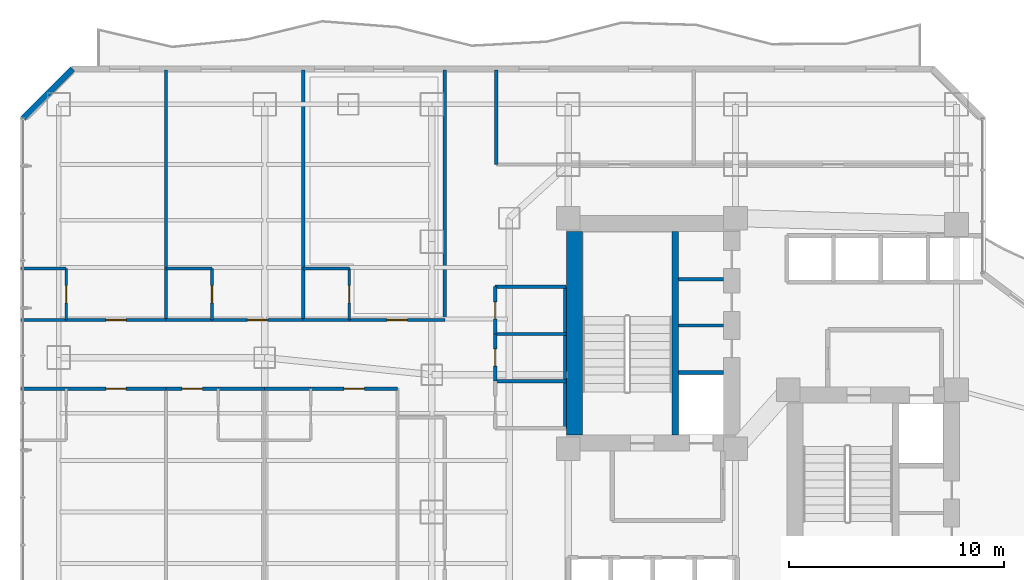
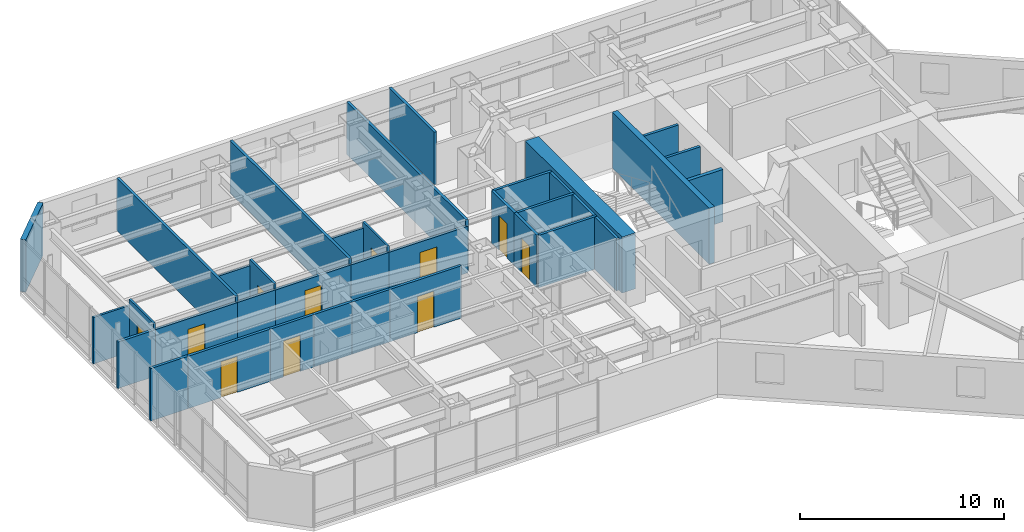
# One storey, part 26 of 37: 34 walls, 11 doors, 11 openings.
"""IFC4 building model written with IfcOpenShell, lengths in metres."""

from ifc_helpers import new_model, si_unit, direction, frame, frame_2d, origin, place, context, subcontext, project, spatial, rectangle, extrude, material, layer, layer_set, type_object, element, fill, save


model = new_model("IFC4")

# Units and contexts
model_context = context("Model", 3, precision=1e-05, world=origin(), true_north=direction((0.0, 1.0)))
body_context = subcontext(model_context, "Body", "Model", "MODEL_VIEW")
ifc_project = project(units=[si_unit("LENGTHUNIT", "METRE"), si_unit("AREAUNIT", "SQUARE_METRE"), si_unit("VOLUMEUNIT", "CUBIC_METRE"), si_unit("PLANEANGLEUNIT", "RADIAN"), si_unit("MASSUNIT", "GRAM", prefix="KILO")], contexts=[model_context])

# Site, building, storey
site_placement = place(None, origin())
site = spatial("IfcSite", under=ifc_project, at=site_placement, CompositionType="ELEMENT")
building_placement = place(site_placement, origin())
building = spatial("IfcBuilding", under=site, at=building_placement, Name="Hatsunagi Terrace Concourse", CompositionType="ELEMENT")
storey_placement = place(building_placement, frame((0.0, 0.0, 50.0)))
storey = spatial("IfcBuildingStorey", under=building, at=storey_placement, Name="L12", CompositionType="ELEMENT", Elevation=50.0)

# Walls
ifc_material_1 = material(Name="Concrete Fc60", Category="concrete")
ifc_layer_1 = layer(ifc_material_1, 0.75)
ifc_layer_set_1 = layer_set([ifc_layer_1], Name="CoreShearWall_Fc60_750")
wall_type_1 = type_object("IfcWallType", Name="CoreShearWall_Fc60_750", PredefinedType="SHEAR", material=ifc_layer_set_1)
wall_1_placement = place(storey_placement, frame((25.844970703125, 33.18994140625, 0.0), z_axis=(0.0, 0.0, 1.0), x_axis=(0.0, 1.0, 0.0)))
element("IfcWall", 1, at=wall_1_placement, inside=storey, type_object=wall_type_1, Name="Core A Shear Wall W L12", PredefinedType="SHEAR", context=body_context, shape_type="SweptSolid", body=[
    extrude(rectangle(XDim=9.47998046875, YDim=0.75, at=frame_2d((4.739990234375, 0.0))), origin(), (0.0, 0.0, 1.0), 3.35009765625),
])
ifc_material_2 = material(Name="Concrete Fc48", Category="concrete")
ifc_layer_2 = layer(ifc_material_2, 0.300048828125)
ifc_layer_set_2 = layer_set([ifc_layer_2], Name="CoreStairDivider_Fc48_300")
wall_type_2 = type_object("IfcWallType", Name="CoreStairDivider_Fc48_300", PredefinedType="SHEAR", material=ifc_layer_set_2)
wall_2_placement = place(storey_placement, frame((30.5400390625, 33.18994140625, 0.0), z_axis=(0.0, 0.0, 1.0), x_axis=(0.0, 1.0, 0.0)))
element("IfcWall", 2, at=wall_2_placement, inside=storey, type_object=wall_type_2, Name="Core A Shear Wall D L12", PredefinedType="SHEAR", context=body_context, shape_type="SweptSolid", body=[
    extrude(rectangle(XDim=9.47998046875, YDim=0.300048828125, at=frame_2d((4.739990234375, 0.0))), origin(), (0.0, 0.0, 1.0), 3.35009765625),
])

# Wall, opening, door
ifc_material_3 = material(Name="Acoustic mineral board", Category="gypsum")
ifc_layer_3 = layer(ifc_material_3, 0.1201171875)
ifc_layer_set_3 = layer_set([ifc_layer_3], Name="PartitionWall_EI30_120")
wall_type_3 = type_object("IfcWallType", Name="PartitionWall_EI30_120", PredefinedType="PARTITIONING", material=ifc_layer_set_3)
wall_3_placement = place(storey_placement, frame((2.14990234375, 38.550048828125, 0.0), z_axis=(0.0, 0.0, 1.0), x_axis=(0.0, 1.0, 0.0)))
wall_3 = element("IfcWall", 3, at=wall_3_placement, inside=storey, type_object=wall_type_3, Name="Interior Partition IW-L12-048", PredefinedType="PARTITIONING", context=body_context, shape_type="SweptSolid", body=[
    extrude(rectangle(XDim=2.39990234375, YDim=0.1201171875, at=frame_2d((1.199951171875, 0.0))), origin(), (0.0, 0.0, 1.0), 3.1298828125),
])
opening_1_placement = place(wall_3_placement, frame((0.800048828125, 0.0, 0.0)))
opening_1 = element("IfcOpeningElement", 4, at=opening_1_placement, cuts=wall_3, Name="Opening DR-080", PredefinedType="OPENING", context=body_context, shape_type="SweptSolid", body=[
    extrude(rectangle(XDim=0.800048828125, YDim=2.06005859375, at=frame_2d((0.39990234375, 1.030029296875))), frame((0.0, 0.070068359375, 0.0), z_axis=(0.0, -1.0, 0.0), x_axis=(1.0, 0.0, 0.0)), (0.0, 0.0, 1.0), 0.14013671875),
])
ifc_material_4 = material(Name="Hardwood timber", Category="wood")
door_type_1 = type_object("IfcDoorType", Name="BathroomDoor_800", OperationType="NOTDEFINED", PredefinedType="DOOR", material=ifc_material_4)
door_1_placement = place(opening_1_placement, origin())
door_1 = element("IfcDoor", 5, at=door_1_placement, inside=storey, type_object=door_type_1, Name="En-Suite Bathroom L12-N1 Door", OperationType="SINGLE_SWING_RIGHT", OverallHeight=2.06005859375, OverallWidth=0.800048828125, PredefinedType="DOOR", context=body_context, shape_type="SweptSolid", body=[
    extrude(rectangle(XDim=0.800048828125, YDim=2.06005859375, at=frame_2d((0.39990234375, 1.030029296875))), frame((0.0, 0.02490234375, 0.0), z_axis=(0.0, -1.0, 0.0), x_axis=(1.0, 0.0, 0.0)), (0.0, 0.0, 1.0), 0.050048828125),
])
fill(opening_1, door_1)

# Wall
wall_4_placement = place(storey_placement, frame((0.0400390625, 40.949951171875, 0.0), z_axis=(0.0, 0.0, 1.0), x_axis=(1.0, 0.0, 0.0)))
element("IfcWall", 6, at=wall_4_placement, inside=storey, type_object=wall_type_3, Name="Interior Partition IW-L12-049", PredefinedType="PARTITIONING", context=body_context, shape_type="SweptSolid", body=[
    extrude(rectangle(XDim=2.10986328125, YDim=0.1201171875, at=frame_2d((1.054931640625, 0.0))), origin(), (0.0, 0.0, 1.0), 2.77490234375),
])

# Wall, opening, door
wall_5_placement = place(storey_placement, frame((8.949951171875, 38.550048828125, 0.0), z_axis=(0.0, 0.0, 1.0), x_axis=(0.0, 1.0, 0.0)))
wall_5 = element("IfcWall", 7, at=wall_5_placement, inside=storey, type_object=wall_type_3, Name="Interior Partition IW-L12-053", PredefinedType="PARTITIONING", context=body_context, shape_type="SweptSolid", body=[
    extrude(rectangle(XDim=2.39990234375, YDim=0.1201171875, at=frame_2d((1.199951171875, 0.0))), origin(), (0.0, 0.0, 1.0), 3.1298828125),
])
opening_2_placement = place(wall_5_placement, frame((0.800048828125, 0.0, 0.0)))
opening_2 = element("IfcOpeningElement", 8, at=opening_2_placement, cuts=wall_5, Name="Opening DR-080", PredefinedType="OPENING", context=body_context, shape_type="SweptSolid", body=[
    extrude(rectangle(XDim=0.800048828125, YDim=2.06005859375, at=frame_2d((0.39990234375, 1.030029296875))), frame((0.0, 0.070068359375, 0.0), z_axis=(0.0, -1.0, 0.0), x_axis=(1.0, 0.0, 0.0)), (0.0, 0.0, 1.0), 0.14013671875),
])
door_2_placement = place(opening_2_placement, origin())
door_2 = element("IfcDoor", 9, at=door_2_placement, inside=storey, type_object=door_type_1, Name="En-Suite Bathroom L12-N2 Door", OperationType="SINGLE_SWING_LEFT", OverallHeight=2.06005859375, OverallWidth=0.800048828125, PredefinedType="DOOR", context=body_context, shape_type="SweptSolid", body=[
    extrude(rectangle(XDim=0.800048828125, YDim=2.06005859375, at=frame_2d((0.39990234375, 1.030029296875))), frame((0.0, 0.02490234375, 0.0), z_axis=(0.0, -1.0, 0.0), x_axis=(1.0, 0.0, 0.0)), (0.0, 0.0, 1.0), 0.050048828125),
])
fill(opening_2, door_2)

# Wall
wall_6_placement = place(storey_placement, frame((6.800048828125, 40.949951171875, 0.0), z_axis=(0.0, 0.0, 1.0), x_axis=(1.0, 0.0, 0.0)))
element("IfcWall", 10, at=wall_6_placement, inside=storey, type_object=wall_type_3, Name="Interior Partition IW-L12-054", PredefinedType="PARTITIONING", context=body_context, shape_type="SweptSolid", body=[
    extrude(rectangle(XDim=2.14990234375, YDim=0.1201171875, at=frame_2d((1.074951171875, 0.0))), origin(), (0.0, 0.0, 1.0), 2.77490234375),
])

# Wall, opening, door
wall_7_placement = place(storey_placement, frame((15.35009765625, 38.550048828125, 0.0), z_axis=(0.0, 0.0, 1.0), x_axis=(0.0, 1.0, 0.0)))
wall_7 = element("IfcWall", 11, at=wall_7_placement, inside=storey, type_object=wall_type_3, Name="Interior Partition IW-L12-058", PredefinedType="PARTITIONING", context=body_context, shape_type="SweptSolid", body=[
    extrude(rectangle(XDim=2.39990234375, YDim=0.1201171875, at=frame_2d((1.199951171875, 0.0))), origin(), (0.0, 0.0, 1.0), 3.1298828125),
])
opening_3_placement = place(wall_7_placement, frame((0.800048828125, 0.0, 0.0)))
opening_3 = element("IfcOpeningElement", 12, at=opening_3_placement, cuts=wall_7, Name="Opening DR-080", PredefinedType="OPENING", context=body_context, shape_type="SweptSolid", body=[
    extrude(rectangle(XDim=0.800048828125, YDim=2.06005859375, at=frame_2d((0.39990234375, 1.030029296875))), frame((0.0, 0.070068359375, 0.0), z_axis=(0.0, -1.0, 0.0), x_axis=(1.0, 0.0, 0.0)), (0.0, 0.0, 1.0), 0.14013671875),
])
door_3_placement = place(opening_3_placement, origin())
door_3 = element("IfcDoor", 13, at=door_3_placement, inside=storey, type_object=door_type_1, Name="En-Suite Bathroom L12-N3 Door", OperationType="SINGLE_SWING_LEFT", OverallHeight=2.06005859375, OverallWidth=0.800048828125, PredefinedType="DOOR", context=body_context, shape_type="SweptSolid", body=[
    extrude(rectangle(XDim=0.800048828125, YDim=2.06005859375, at=frame_2d((0.39990234375, 1.030029296875))), frame((0.0, 0.02490234375, 0.0), z_axis=(0.0, -1.0, 0.0), x_axis=(1.0, 0.0, 0.0)), (0.0, 0.0, 1.0), 0.050048828125),
])
fill(opening_3, door_3)

# Walls
wall_8_placement = place(storey_placement, frame((13.199951171875, 40.949951171875, 0.0), z_axis=(0.0, 0.0, 1.0), x_axis=(1.0, 0.0, 0.0)))
element("IfcWall", 14, at=wall_8_placement, inside=storey, type_object=wall_type_3, Name="Interior Partition IW-L12-059", PredefinedType="PARTITIONING", context=body_context, shape_type="SweptSolid", body=[
    extrude(rectangle(XDim=2.150146484375, YDim=0.1201171875, at=frame_2d((1.0751953125, 0.0))), origin(), (0.0, 0.0, 1.0), 2.77490234375),
])
ifc_material_5 = material(Name="Acoustic mineral board", Category="gypsum")
ifc_layer_4 = layer(ifc_material_5, 0.14990234375)
ifc_layer_set_4 = layer_set([ifc_layer_4], Name="PartitionWall_EI60_150")
wall_type_4 = type_object("IfcWallType", Name="PartitionWall_EI60_150", PredefinedType="PARTITIONING", material=ifc_layer_set_4)
for number, where, z_axis, x_axis, name in (
    (15, (30.699951171875, 38.300048828125, 0.0), (0.0, 0.0, 1.0), (1.0, 0.0, 0.0), "Interior Partition IW-L12-002"),
    (16, (30.699951171875, 40.449951171875, 0.0), (0.0, 0.0, 1.0), (1.0, 0.0, 0.0), "Interior Partition IW-L12-003"),
):
    element("IfcWall", number, at=place(storey_placement, frame(where, z_axis=z_axis, x_axis=x_axis)), inside=storey, type_object=wall_type_4, Name=name, PredefinedType="PARTITIONING", context=body_context, shape_type="SweptSolid", body=[
        extrude(rectangle(XDim=2.10009765625, YDim=0.14990234375, at=frame_2d((1.050048828125, 0.0))), origin(), (0.0, 0.0, 1.0), 3.1298828125),
    ])
wall_9_placement = place(storey_placement, frame((22.14990234375, 40.10009765625, 0.0), z_axis=(0.0, 0.0, 1.0), x_axis=(1.0, 0.0, 0.0)))
element("IfcWall", 17, at=wall_9_placement, inside=storey, type_object=wall_type_4, Name="Interior Partition IW-L12-032", PredefinedType="PARTITIONING", context=body_context, shape_type="SweptSolid", body=[
    extrude(rectangle(XDim=3.300048828125, YDim=0.14990234375, at=frame_2d((1.64990234375, 0.0))), origin(), (0.0, 0.0, 1.0), 3.1298828125),
])
wall_10_placement = place(storey_placement, frame((25.39990234375, 33.5, 0.0), z_axis=(0.0, 0.0, 1.0), x_axis=(0.0, 1.0, 0.0)))
element("IfcWall", 18, at=wall_10_placement, inside=storey, type_object=wall_type_4, Name="Interior Partition IW-L12-033", PredefinedType="PARTITIONING", context=body_context, shape_type="SweptSolid", body=[
    extrude(rectangle(XDim=6.60009765625, YDim=0.14990234375, at=frame_2d((3.300048828125, 0.0))), origin(), (0.0, 0.0, 1.0), 3.1298828125),
])
for number, where, z_axis, x_axis, name in (
    (19, (22.14990234375, 35.699951171875, 0.0), (0.0, 0.0, 1.0), (1.0, 0.0, 0.0), "Interior Partition IW-L12-034"),
    (20, (22.14990234375, 37.89990234375, 0.0), (0.0, 0.0, 1.0), (1.0, 0.0, 0.0), "Interior Partition IW-L12-035"),
):
    element("IfcWall", number, at=place(storey_placement, frame(where, z_axis=z_axis, x_axis=x_axis)), inside=storey, type_object=wall_type_4, Name=name, PredefinedType="PARTITIONING", context=body_context, shape_type="SweptSolid", body=[
        extrude(rectangle(XDim=3.300048828125, YDim=0.14990234375, at=frame_2d((1.64990234375, 0.0))), origin(), (0.0, 0.0, 1.0), 3.1298828125),
    ])

# Wall, opening, door
wall_11_placement = place(storey_placement, frame((22.14990234375, 35.699951171875, 0.0), z_axis=(0.0, 0.0, 1.0), x_axis=(0.0, 1.0, 0.0)))
wall_11 = element("IfcWall", 21, at=wall_11_placement, inside=storey, type_object=wall_type_4, Name="Interior Partition IW-L12-037", PredefinedType="PARTITIONING", context=body_context, shape_type="SweptSolid", body=[
    extrude(rectangle(XDim=2.199951171875, YDim=0.14990234375, at=frame_2d((1.10009765625, 0.0))), origin(), (0.0, 0.0, 1.0), 3.1298828125),
])
opening_4_placement = place(wall_11_placement, frame((0.699951171875, 0.0, 0.0)))
opening_4 = element("IfcOpeningElement", 22, at=opening_4_placement, cuts=wall_11, Name="Opening DR-080", PredefinedType="OPENING", context=body_context, shape_type="SweptSolid", body=[
    extrude(rectangle(XDim=0.800048828125, YDim=2.06005859375, at=frame_2d((0.39990234375, 1.030029296875))), frame((0.0, 0.0849609375, 0.0), z_axis=(0.0, -1.0, 0.0), x_axis=(1.0, 0.0, 0.0)), (0.0, 0.0, 1.0), 0.169921875),
])
door_4_placement = place(opening_4_placement, origin())
door_4 = element("IfcDoor", 23, at=door_4_placement, inside=storey, type_object=door_type_1, Name="Female Restroom Door L12", OperationType="SINGLE_SWING_RIGHT", OverallHeight=2.06005859375, OverallWidth=0.800048828125, PredefinedType="DOOR", context=body_context, shape_type="SweptSolid", body=[
    extrude(rectangle(XDim=0.800048828125, YDim=2.06005859375, at=frame_2d((0.39990234375, 1.030029296875))), frame((0.0, 0.02490234375, 0.0), z_axis=(0.0, -1.0, 0.0), x_axis=(1.0, 0.0, 0.0)), (0.0, 0.0, 1.0), 0.050048828125),
])
fill(opening_4, door_4)

wall_12_placement = place(storey_placement, frame((22.14990234375, 37.89990234375, 0.0), z_axis=(0.0, 0.0, 1.0), x_axis=(0.0, 1.0, 0.0)))
wall_12 = element("IfcWall", 24, at=wall_12_placement, inside=storey, type_object=wall_type_4, Name="Interior Partition IW-L12-038", PredefinedType="PARTITIONING", context=body_context, shape_type="SweptSolid", body=[
    extrude(rectangle(XDim=2.2001953125, YDim=0.14990234375, at=frame_2d((1.10009765625, 0.0))), origin(), (0.0, 0.0, 1.0), 3.1298828125),
])
opening_5_placement = place(wall_12_placement, frame((0.699951171875, 0.0, 0.0)))
opening_5 = element("IfcOpeningElement", 25, at=opening_5_placement, cuts=wall_12, Name="Opening DR-080", PredefinedType="OPENING", context=body_context, shape_type="SweptSolid", body=[
    extrude(rectangle(XDim=0.800048828125, YDim=2.06005859375, at=frame_2d((0.39990234375, 1.030029296875))), frame((0.0, 0.0849609375, 0.0), z_axis=(0.0, -1.0, 0.0), x_axis=(1.0, 0.0, 0.0)), (0.0, 0.0, 1.0), 0.169921875),
])
door_5_placement = place(opening_5_placement, origin())
door_5 = element("IfcDoor", 26, at=door_5_placement, inside=storey, type_object=door_type_1, Name="Male Restroom Door L12", OperationType="SINGLE_SWING_RIGHT", OverallHeight=2.06005859375, OverallWidth=0.800048828125, PredefinedType="DOOR", context=body_context, shape_type="SweptSolid", body=[
    extrude(rectangle(XDim=0.800048828125, YDim=2.06005859375, at=frame_2d((0.39990234375, 1.030029296875))), frame((0.0, 0.02490234375, 0.0), z_axis=(0.0, -1.0, 0.0), x_axis=(1.0, 0.0, 0.0)), (0.0, 0.0, 1.0), 0.050048828125),
])
fill(opening_5, door_5)

# Walls
wall_13_placement = place(storey_placement, frame((22.199951171875, 45.800048828125, 0.0), z_axis=(0.0, 0.0, 1.0), x_axis=(0.0, 1.0, 0.0)))
element("IfcWall", 27, at=wall_13_placement, inside=storey, type_object=wall_type_4, Name="Interior Partition IW-L12-040", PredefinedType="PARTITIONING", context=body_context, shape_type="SweptSolid", body=[
    extrude(rectangle(XDim=4.39990234375, YDim=0.14990234375, at=frame_2d((2.199951171875, 0.0))), origin(), (0.0, 0.0, 1.0), 3.1298828125),
])
wall_14_placement = place(storey_placement, frame((0.0400390625, 38.550048828125, 0.0), z_axis=(0.0, 0.0, 1.0), x_axis=(1.0, 0.0, 0.0)))
element("IfcWall", 28, at=wall_14_placement, inside=storey, type_object=wall_type_4, Name="Interior Partition IW-L12-046", PredefinedType="PARTITIONING", context=body_context, shape_type="SweptSolid", body=[
    extrude(rectangle(XDim=2.10986328125, YDim=0.14990234375, at=frame_2d((1.054931640625, 0.0))), origin(), (0.0, 0.0, 1.0), 2.77490234375),
])

# Wall, opening, door
wall_15_placement = place(storey_placement, frame((2.14990234375, 38.550048828125, 0.0), z_axis=(0.0, 0.0, 1.0), x_axis=(1.0, 0.0, 0.0)))
wall_15 = element("IfcWall", 29, at=wall_15_placement, inside=storey, type_object=wall_type_4, Name="Interior Partition IW-L12-047", PredefinedType="PARTITIONING", context=body_context, shape_type="SweptSolid", body=[
    extrude(rectangle(XDim=4.650146484375, YDim=0.14990234375, at=frame_2d((2.3251953125, 0.0))), origin(), (0.0, 0.0, 1.0), 2.77490234375),
])
opening_6_placement = place(wall_15_placement, frame((1.85009765625, 0.0, 0.0)))
opening_6 = element("IfcOpeningElement", 30, at=opening_6_placement, cuts=wall_15, Name="Opening DR-095", PredefinedType="OPENING", context=body_context, shape_type="SweptSolid", body=[
    extrude(rectangle(XDim=0.949951171875, YDim=2.14990234375, at=frame_2d((0.47509765625, 1.074951171875))), frame((0.0, 0.0849609375, 0.0), z_axis=(0.0, -1.0, 0.0), x_axis=(1.0, 0.0, 0.0)), (0.0, 0.0, 1.0), 0.169921875),
])
ifc_material_6 = material(Name="Hardwood timber", Category="wood")
door_type_2 = type_object("IfcDoorType", Name="InteriorSuiteDoor_EI30_950", OperationType="NOTDEFINED", PredefinedType="DOOR", material=ifc_material_6)
door_6_placement = place(opening_6_placement, origin())
door_6 = element("IfcDoor", 31, at=door_6_placement, inside=storey, type_object=door_type_2, Name="Corner Hotel Suite L12-N1 Door", OperationType="SINGLE_SWING_LEFT", OverallHeight=2.14990234375, OverallWidth=0.949951171875, PredefinedType="DOOR", context=body_context, shape_type="SweptSolid", body=[
    extrude(rectangle(XDim=0.949951171875, YDim=2.14990234375, at=frame_2d((0.47509765625, 1.074951171875))), frame((0.0, 0.02490234375, 0.0), z_axis=(0.0, -1.0, 0.0), x_axis=(1.0, 0.0, 0.0)), (0.0, 0.0, 1.0), 0.050048828125),
])
fill(opening_6, door_6)

# Walls
wall_16_placement = place(storey_placement, frame((6.800048828125, 38.550048828125, 0.0), z_axis=(0.0, 0.0, 1.0), x_axis=(0.0, 1.0, 0.0)))
element("IfcWall", 32, at=wall_16_placement, inside=storey, type_object=wall_type_4, Name="Interior Partition IW-L12-050", PredefinedType="PARTITIONING", context=body_context, shape_type="SweptSolid", body=[
    extrude(rectangle(XDim=11.64990234375, YDim=0.14990234375, at=frame_2d((5.824951171875, 0.0))), origin(), (0.0, 0.0, 1.0), 3.1298828125),
])
wall_17_placement = place(storey_placement, frame((6.800048828125, 38.550048828125, 0.0), z_axis=(0.0, 0.0, 1.0), x_axis=(1.0, 0.0, 0.0)))
element("IfcWall", 33, at=wall_17_placement, inside=storey, type_object=wall_type_4, Name="Interior Partition IW-L12-051", PredefinedType="PARTITIONING", context=body_context, shape_type="SweptSolid", body=[
    extrude(rectangle(XDim=2.14990234375, YDim=0.14990234375, at=frame_2d((1.074951171875, 0.0))), origin(), (0.0, 0.0, 1.0), 2.77490234375),
])

# Wall, opening, door
wall_18_placement = place(storey_placement, frame((8.949951171875, 38.550048828125, 0.0), z_axis=(0.0, 0.0, 1.0), x_axis=(1.0, 0.0, 0.0)))
wall_18 = element("IfcWall", 34, at=wall_18_placement, inside=storey, type_object=wall_type_4, Name="Interior Partition IW-L12-052", PredefinedType="PARTITIONING", context=body_context, shape_type="SweptSolid", body=[
    extrude(rectangle(XDim=4.25, YDim=0.14990234375, at=frame_2d((2.125, 0.0))), origin(), (0.0, 0.0, 1.0), 2.77490234375),
])
opening_7_placement = place(wall_18_placement, frame((1.64990234375, 0.0, 0.0)))
opening_7 = element("IfcOpeningElement", 35, at=opening_7_placement, cuts=wall_18, Name="Opening DR-095", PredefinedType="OPENING", context=body_context, shape_type="SweptSolid", body=[
    extrude(rectangle(XDim=0.949951171875, YDim=2.14990234375, at=frame_2d((0.47509765625, 1.074951171875))), frame((0.0, 0.0849609375, 0.0), z_axis=(0.0, -1.0, 0.0), x_axis=(1.0, 0.0, 0.0)), (0.0, 0.0, 1.0), 0.169921875),
])
door_7_placement = place(opening_7_placement, origin())
door_7 = element("IfcDoor", 36, at=door_7_placement, inside=storey, type_object=door_type_2, Name="Hotel Guest Room L12-N2 Door", OperationType="SINGLE_SWING_LEFT", OverallHeight=2.14990234375, OverallWidth=0.949951171875, PredefinedType="DOOR", context=body_context, shape_type="SweptSolid", body=[
    extrude(rectangle(XDim=0.949951171875, YDim=2.14990234375, at=frame_2d((0.47509765625, 1.074951171875))), frame((0.0, 0.02490234375, 0.0), z_axis=(0.0, -1.0, 0.0), x_axis=(1.0, 0.0, 0.0)), (0.0, 0.0, 1.0), 0.050048828125),
])
fill(opening_7, door_7)

# Walls
wall_19_placement = place(storey_placement, frame((13.199951171875, 38.550048828125, 0.0), z_axis=(0.0, 0.0, 1.0), x_axis=(0.0, 1.0, 0.0)))
element("IfcWall", 37, at=wall_19_placement, inside=storey, type_object=wall_type_4, Name="Interior Partition IW-L12-055", PredefinedType="PARTITIONING", context=body_context, shape_type="SweptSolid", body=[
    extrude(rectangle(XDim=11.64990234375, YDim=0.14990234375, at=frame_2d((5.824951171875, 0.0))), origin(), (0.0, 0.0, 1.0), 3.1298828125),
])
wall_20_placement = place(storey_placement, frame((13.199951171875, 38.550048828125, 0.0), z_axis=(0.0, 0.0, 1.0), x_axis=(1.0, 0.0, 0.0)))
element("IfcWall", 38, at=wall_20_placement, inside=storey, type_object=wall_type_4, Name="Interior Partition IW-L12-056", PredefinedType="PARTITIONING", context=body_context, shape_type="SweptSolid", body=[
    extrude(rectangle(XDim=2.150146484375, YDim=0.14990234375, at=frame_2d((1.0751953125, 0.0))), origin(), (0.0, 0.0, 1.0), 2.77490234375),
])

# Wall, opening, door
wall_21_placement = place(storey_placement, frame((15.35009765625, 38.550048828125, 0.0), z_axis=(0.0, 0.0, 1.0), x_axis=(1.0, 0.0, 0.0)))
wall_21 = element("IfcWall", 39, at=wall_21_placement, inside=storey, type_object=wall_type_4, Name="Interior Partition IW-L12-057", PredefinedType="PARTITIONING", context=body_context, shape_type="SweptSolid", body=[
    extrude(rectangle(XDim=4.449951171875, YDim=0.14990234375, at=frame_2d((2.22509765625, 0.0))), origin(), (0.0, 0.0, 1.0), 2.77490234375),
])
opening_8_placement = place(wall_21_placement, frame((1.75, 0.0, 0.0)))
opening_8 = element("IfcOpeningElement", 40, at=opening_8_placement, cuts=wall_21, Name="Opening DR-095", PredefinedType="OPENING", context=body_context, shape_type="SweptSolid", body=[
    extrude(rectangle(XDim=0.949951171875, YDim=2.14990234375, at=frame_2d((0.47509765625, 1.074951171875))), frame((0.0, 0.0849609375, 0.0), z_axis=(0.0, -1.0, 0.0), x_axis=(1.0, 0.0, 0.0)), (0.0, 0.0, 1.0), 0.169921875),
])
door_8_placement = place(opening_8_placement, origin())
door_8 = element("IfcDoor", 41, at=door_8_placement, inside=storey, type_object=door_type_2, Name="Corner Hotel Suite L12-N3 Door", OperationType="SINGLE_SWING_LEFT", OverallHeight=2.14990234375, OverallWidth=0.949951171875, PredefinedType="DOOR", context=body_context, shape_type="SweptSolid", body=[
    extrude(rectangle(XDim=0.949951171875, YDim=2.14990234375, at=frame_2d((0.47509765625, 1.074951171875))), frame((0.0, 0.02490234375, 0.0), z_axis=(0.0, -1.0, 0.0), x_axis=(1.0, 0.0, 0.0)), (0.0, 0.0, 1.0), 0.050048828125),
])
fill(opening_8, door_8)

# Walls
wall_22_placement = place(storey_placement, frame((19.800048828125, 38.550048828125, 0.0), z_axis=(0.0, 0.0, 1.0), x_axis=(0.0, 1.0, 0.0)))
element("IfcWall", 42, at=wall_22_placement, inside=storey, type_object=wall_type_4, Name="Interior Partition IW-L12-060", PredefinedType="PARTITIONING", context=body_context, shape_type="SweptSolid", body=[
    extrude(rectangle(XDim=11.64990234375, YDim=0.14990234375, at=frame_2d((5.824951171875, 0.0))), origin(), (0.0, 0.0, 1.0), 3.1298828125),
])
wall_23_placement = place(storey_placement, frame((0.0400390625, 35.35009765625, 0.0), z_axis=(0.0, 0.0, 1.0), x_axis=(1.0, 0.0, 0.0)))
element("IfcWall", 43, at=wall_23_placement, inside=storey, type_object=wall_type_4, Name="Interior Partition IW-L12-061", PredefinedType="PARTITIONING", context=body_context, shape_type="SweptSolid", body=[
    extrude(rectangle(XDim=2.10986328125, YDim=0.14990234375, at=frame_2d((1.054931640625, 0.0))), origin(), (0.0, 0.0, 1.0), 3.1298828125),
])

# Wall, opening, door
wall_24_placement = place(storey_placement, frame((2.14990234375, 35.35009765625, 0.0), z_axis=(0.0, 0.0, 1.0), x_axis=(1.0, 0.0, 0.0)))
wall_24 = element("IfcWall", 44, at=wall_24_placement, inside=storey, type_object=wall_type_4, Name="Interior Partition IW-L12-062", PredefinedType="PARTITIONING", context=body_context, shape_type="SweptSolid", body=[
    extrude(rectangle(XDim=4.650146484375, YDim=0.14990234375, at=frame_2d((2.3251953125, 0.0))), origin(), (0.0, 0.0, 1.0), 3.1298828125),
])
opening_9_placement = place(wall_24_placement, frame((1.85009765625, 0.0, 0.0)))
opening_9 = element("IfcOpeningElement", 45, at=opening_9_placement, cuts=wall_24, Name="Opening DR-095", PredefinedType="OPENING", context=body_context, shape_type="SweptSolid", body=[
    extrude(rectangle(XDim=0.949951171875, YDim=2.14990234375, at=frame_2d((0.47509765625, 1.074951171875))), frame((0.0, 0.0849609375, 0.0), z_axis=(0.0, -1.0, 0.0), x_axis=(1.0, 0.0, 0.0)), (0.0, 0.0, 1.0), 0.169921875),
])
door_9_placement = place(opening_9_placement, origin())
door_9 = element("IfcDoor", 46, at=door_9_placement, inside=storey, type_object=door_type_2, Name="Corner Hotel Suite L12-S1 Door", OperationType="SINGLE_SWING_RIGHT", OverallHeight=2.14990234375, OverallWidth=0.949951171875, PredefinedType="DOOR", context=body_context, shape_type="SweptSolid", body=[
    extrude(rectangle(XDim=0.949951171875, YDim=2.14990234375, at=frame_2d((0.47509765625, 1.074951171875))), frame((0.0, 0.02490234375, 0.0), z_axis=(0.0, -1.0, 0.0), x_axis=(1.0, 0.0, 0.0)), (0.0, 0.0, 1.0), 0.050048828125),
])
fill(opening_9, door_9)

wall_25_placement = place(storey_placement, frame((6.800048828125, 35.35009765625, 0.0), z_axis=(0.0, 0.0, 1.0), x_axis=(1.0, 0.0, 0.0)))
wall_25 = element("IfcWall", 47, at=wall_25_placement, inside=storey, type_object=wall_type_4, Name="Interior Partition IW-L12-066", PredefinedType="PARTITIONING", context=body_context, shape_type="SweptSolid", body=[
    extrude(rectangle(XDim=2.449951171875, YDim=0.14990234375, at=frame_2d((1.22509765625, 0.0))), origin(), (0.0, 0.0, 1.0), 3.1298828125),
])
opening_10_placement = place(wall_25_placement, frame((0.75, 0.0, 0.0)))
opening_10 = element("IfcOpeningElement", 48, at=opening_10_placement, cuts=wall_25, Name="Opening DR-095", PredefinedType="OPENING", context=body_context, shape_type="SweptSolid", body=[
    extrude(rectangle(XDim=0.949951171875, YDim=2.14990234375, at=frame_2d((0.47509765625, 1.074951171875))), frame((0.0, 0.0849609375, 0.0), z_axis=(0.0, -1.0, 0.0), x_axis=(1.0, 0.0, 0.0)), (0.0, 0.0, 1.0), 0.169921875),
])
door_10_placement = place(opening_10_placement, origin())
door_10 = element("IfcDoor", 49, at=door_10_placement, inside=storey, type_object=door_type_2, Name="Hotel Guest Room L12-S2 Door", OperationType="SINGLE_SWING_RIGHT", OverallHeight=2.14990234375, OverallWidth=0.949951171875, PredefinedType="DOOR", context=body_context, shape_type="SweptSolid", body=[
    extrude(rectangle(XDim=0.949951171875, YDim=2.14990234375, at=frame_2d((0.47509765625, 1.074951171875))), frame((0.0, 0.02490234375, 0.0), z_axis=(0.0, -1.0, 0.0), x_axis=(1.0, 0.0, 0.0)), (0.0, 0.0, 1.0), 0.050048828125),
])
fill(opening_10, door_10)

# Walls
wall_26_placement = place(storey_placement, frame((9.25, 35.35009765625, 0.0), z_axis=(0.0, 0.0, 1.0), x_axis=(1.0, 0.0, 0.0)))
element("IfcWall", 50, at=wall_26_placement, inside=storey, type_object=wall_type_4, Name="Interior Partition IW-L12-067", PredefinedType="PARTITIONING", context=body_context, shape_type="SweptSolid", body=[
    extrude(rectangle(XDim=2.14990234375, YDim=0.14990234375, at=frame_2d((1.074951171875, 0.0))), origin(), (0.0, 0.0, 1.0), 3.1298828125),
])
wall_27_placement = place(storey_placement, frame((11.39990234375, 35.35009765625, 0.0), z_axis=(0.0, 0.0, 1.0), x_axis=(1.0, 0.0, 0.0)))
element("IfcWall", 51, at=wall_27_placement, inside=storey, type_object=wall_type_4, Name="Interior Partition IW-L12-071", PredefinedType="PARTITIONING", context=body_context, shape_type="SweptSolid", body=[
    extrude(rectangle(XDim=2.150146484375, YDim=0.14990234375, at=frame_2d((1.0751953125, 0.0))), origin(), (0.0, 0.0, 1.0), 3.1298828125),
])

# Wall, opening, door
wall_28_placement = place(storey_placement, frame((13.550048828125, 35.35009765625, 0.0), z_axis=(0.0, 0.0, 1.0), x_axis=(1.0, 0.0, 0.0)))
wall_28 = element("IfcWall", 52, at=wall_28_placement, inside=storey, type_object=wall_type_4, Name="Interior Partition IW-L12-072", PredefinedType="PARTITIONING", context=body_context, shape_type="SweptSolid", body=[
    extrude(rectangle(XDim=4.050048828125, YDim=0.14990234375, at=frame_2d((2.02490234375, 0.0))), origin(), (0.0, 0.0, 1.0), 3.1298828125),
])
opening_11_placement = place(wall_28_placement, frame((1.550048828125, 0.0, 0.0)))
opening_11 = element("IfcOpeningElement", 53, at=opening_11_placement, cuts=wall_28, Name="Opening DR-095", PredefinedType="OPENING", context=body_context, shape_type="SweptSolid", body=[
    extrude(rectangle(XDim=0.949951171875, YDim=2.14990234375, at=frame_2d((0.47509765625, 1.074951171875))), frame((0.0, 0.0849609375, 0.0), z_axis=(0.0, -1.0, 0.0), x_axis=(1.0, 0.0, 0.0)), (0.0, 0.0, 1.0), 0.169921875),
])
door_11_placement = place(opening_11_placement, origin())
door_11 = element("IfcDoor", 54, at=door_11_placement, inside=storey, type_object=door_type_2, Name="Hotel Guest Room L12-S3 Door", OperationType="SINGLE_SWING_RIGHT", OverallHeight=2.14990234375, OverallWidth=0.949951171875, PredefinedType="DOOR", context=body_context, shape_type="SweptSolid", body=[
    extrude(rectangle(XDim=0.949951171875, YDim=2.14990234375, at=frame_2d((0.47509765625, 1.074951171875))), frame((0.0, 0.02490234375, 0.0), z_axis=(0.0, -1.0, 0.0), x_axis=(1.0, 0.0, 0.0)), (0.0, 0.0, 1.0), 0.050048828125),
])
fill(opening_11, door_11)

# Walls
ifc_material_7 = material(Name="Acoustic mineral board", Category="gypsum")
ifc_layer_5 = layer(ifc_material_7, 0.199951171875)
ifc_layer_set_5 = layer_set([ifc_layer_5], Name="ShaftWall_EI120_200")
wall_type_5 = type_object("IfcWallType", Name="ShaftWall_EI120_200", PredefinedType="STANDARD", material=ifc_layer_set_5)
wall_29_placement = place(storey_placement, frame((30.699951171875, 36.10009765625, 0.0), z_axis=(0.0, 0.0, 1.0), x_axis=(1.0, 0.0, 0.0)))
element("IfcWall", 55, at=wall_29_placement, inside=storey, type_object=wall_type_5, Name="Interior Partition IW-L12-001", PredefinedType="STANDARD", context=body_context, shape_type="SweptSolid", body=[
    extrude(rectangle(XDim=2.10009765625, YDim=0.199951171875, at=frame_2d((1.050048828125, 0.0))), origin(), (0.0, 0.0, 1.0), 3.1298828125),
])
ifc_material_8 = material(Name="Autoclaved Lightweight Concrete and Terracotta Cladding", Category="masonry")
ifc_layer_6 = layer(ifc_material_8, 0.280029296875)
ifc_layer_set_6 = layer_set([ifc_layer_6], Name="TerracottaSpandrelWall_280")
wall_type_6 = type_object("IfcWallType", Name="TerracottaSpandrelWall_280", PredefinedType="STANDARD", material=ifc_layer_set_6)
wall_30_placement = place(storey_placement, frame((0.139892578125, 47.94189453125, 0.0), z_axis=(0.0, 0.0, 1.0), x_axis=(0.707106781187, 0.707106781187, 0.0)))
element("IfcWall", 56, at=wall_30_placement, inside=storey, type_object=wall_type_6, Name="Exterior Spandrel Wall EW-L12-10", PredefinedType="STANDARD", context=body_context, shape_type="SweptSolid", body=[
    extrude(rectangle(XDim=3.2783203125, YDim=0.280029296875, at=frame_2d((1.63916015625, 0.0))), origin(), (0.0, 0.0, 1.0), 3.1298828125),
])

save(model, "model.ifc")
